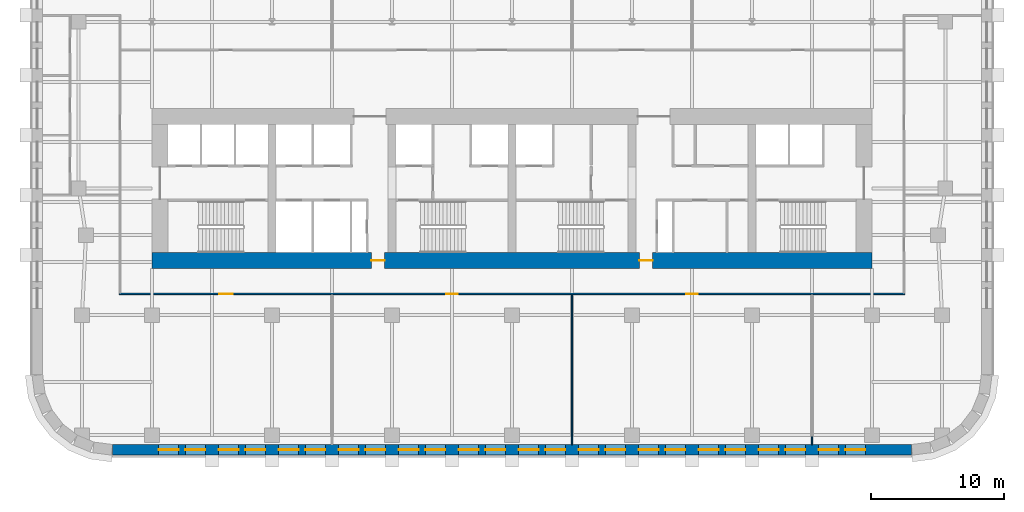
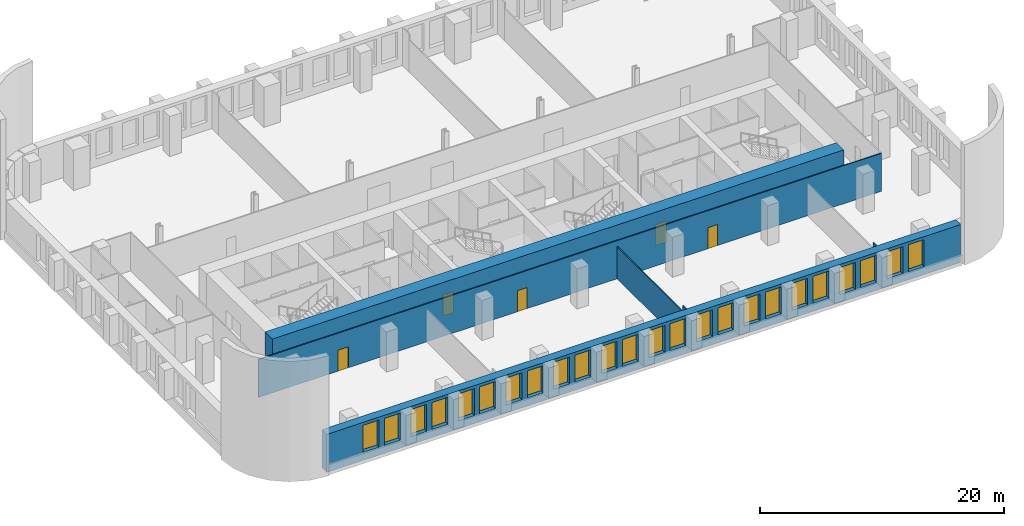
# One storey, part 5 of 11: 24 windows, 6 walls, 5 doors, 29 openings.
"""IFC4 building model written with IfcOpenShell, lengths in metres."""

from ifc_helpers import new_model, si_unit, direction, frame, frame_2d, origin, place, context, subcontext, project, spatial, rectangle, extrude, material, layer, layer_set, type_object, element, fill, save


model = new_model("IFC4")

# Units and contexts
model_context = context("Model", 3, precision=1e-05, world=origin(), true_north=direction((0.0, 1.0)))
body_context = subcontext(model_context, "Body", "Model", "MODEL_VIEW")
ifc_project = project(units=[si_unit("LENGTHUNIT", "METRE"), si_unit("AREAUNIT", "SQUARE_METRE"), si_unit("VOLUMEUNIT", "CUBIC_METRE"), si_unit("PLANEANGLEUNIT", "RADIAN"), si_unit("MASSUNIT", "GRAM", prefix="KILO")], contexts=[model_context])

# Site, building, storey
site_placement = place(None, origin())
site = spatial("IfcSite", under=ifc_project, at=site_placement, CompositionType="ELEMENT")
building_placement = place(site_placement, origin())
building = spatial("IfcBuilding", under=site, at=building_placement, Name="Zellij Exchange Tower", CompositionType="ELEMENT")
storey_placement = place(building_placement, frame((0.0, 0.0, 64.5)))
storey = spatial("IfcBuildingStorey", under=building, at=storey_placement, Name="L12", CompositionType="ELEMENT", Elevation=64.5)

# Wall, openings, doors
ifc_material_1 = material(Name="Concrete C70/85", Category="concrete")
ifc_layer_1 = layer(ifc_material_1, 1.199951171875)
ifc_layer_set_1 = layer_set([ifc_layer_1], Name="Concrete C70/85")
wall_type_1 = type_object("IfcWallType", Name="CORE-SW 1200 C70/85", PredefinedType="SHEAR", material=ifc_layer_set_1)
wall_1_placement = place(storey_placement, frame((-27.0, -13.39990234375, 0.0), z_axis=(0.0, 0.0, 1.0), x_axis=(1.0, 0.0, 0.0)))
wall_1 = element("IfcWall", 1, at=wall_1_placement, inside=storey, type_object=wall_type_1, Name="Core shear wall rear L12", PredefinedType="SHEAR", context=body_context, shape_type="SweptSolid", body=[
    extrude(rectangle(XDim=54.0, YDim=1.199951171875, at=frame_2d((27.0, 0.0))), origin(), (0.0, 0.0, 1.0), 3.800048828125),
])
opening_1_placement = place(wall_1_placement, frame((16.449951171875, 0.0, 0.0)))
opening_1 = element("IfcOpeningElement", 2, at=opening_1_placement, cuts=wall_1, Name="Opening CA-08.12", PredefinedType="OPENING", context=body_context, shape_type="SweptSolid", body=[
    extrude(rectangle(XDim=1.0, YDim=2.10009765625, at=frame_2d((0.5, 1.050048828125))), frame((0.0, 0.61181640625, 0.0), z_axis=(0.0, -1.0, 0.0), x_axis=(1.0, 0.0, 0.0)), (0.0, 0.0, 1.0), 1.223876953125),
])
opening_2_placement = place(wall_1_placement, frame((36.550048828125, 0.0, 0.0)))
opening_2 = element("IfcOpeningElement", 3, at=opening_2_placement, cuts=wall_1, Name="Opening CA-08.20", PredefinedType="OPENING", context=body_context, shape_type="SweptSolid", body=[
    extrude(rectangle(XDim=1.0, YDim=2.10009765625, at=frame_2d((0.5, 1.050048828125))), frame((0.0, 0.61181640625, 0.0), z_axis=(0.0, -1.0, 0.0), x_axis=(1.0, 0.0, 0.0)), (0.0, 0.0, 1.0), 1.223876953125),
])
ifc_material_2 = material(Name="Hollow metal fire door")
door_type_1 = type_object("IfcDoorType", Name="CORE-D CR Core rear door 1000x2100 20 MIN", OperationType="NOTDEFINED", PredefinedType="DOOR", material=ifc_material_2)
door_1_placement = place(opening_1_placement, origin())
door_1 = element("IfcDoor", 4, at=door_1_placement, inside=storey, type_object=door_type_1, Name="Core rear door CA-08.12", OperationType="SINGLE_SWING_RIGHT", OverallHeight=2.10009765625, OverallWidth=1.0, PredefinedType="DOOR", context=body_context, shape_type="SweptSolid", body=[
    extrude(rectangle(XDim=1.0, YDim=2.10009765625, at=frame_2d((0.5, 1.050048828125))), frame((0.0, 0.02490234375, 0.0), z_axis=(0.0, -1.0, 0.0), x_axis=(1.0, 0.0, 0.0)), (0.0, 0.0, 1.0), 0.050048828125),
])
fill(opening_1, door_1)
door_2_placement = place(opening_2_placement, origin())
door_2 = element("IfcDoor", 5, at=door_2_placement, inside=storey, type_object=door_type_1, Name="Core rear door CA-08.20", OperationType="SINGLE_SWING_LEFT", OverallHeight=2.10009765625, OverallWidth=1.0, PredefinedType="DOOR", context=body_context, shape_type="SweptSolid", body=[
    extrude(rectangle(XDim=1.0, YDim=2.10009765625, at=frame_2d((0.5, 1.050048828125))), frame((0.0, 0.02490234375, 0.0), z_axis=(0.0, -1.0, 0.0), x_axis=(1.0, 0.0, 0.0)), (0.0, 0.0, 1.0), 0.050048828125),
])
fill(opening_2, door_2)

# Wall, openings, windows
ifc_material_3 = material(Name="Precast concrete C40/50", Category="concrete")
ifc_layer_2 = layer(ifc_material_3, 0.800048828125)
ifc_layer_set_2 = layer_set([ifc_layer_2], Name="Precast concrete C40/50")
wall_type_2 = type_object("IfcWallType", Name="ENV-EW1 Precast stone-piered wall 800", PredefinedType="SOLIDWALL", material=ifc_layer_set_2)
wall_2_placement = place(storey_placement, frame((-29.947509765625, -27.60009765625, 0.0), z_axis=(0.0, 0.0, 1.0), x_axis=(1.0, 0.0, 0.0)))
wall_2 = element("IfcWall", 6, at=wall_2_placement, inside=storey, type_object=wall_type_2, Name="fac.L12.00", PredefinedType="SOLIDWALL", context=body_context, shape_type="SweptSolid", body=[
    extrude(rectangle(XDim=59.89501953125, YDim=0.800048828125, at=frame_2d((29.947509765625, 0.0))), origin(), (0.0, 0.0, 1.0), 3.800048828125),
])
opening_3_placement = place(wall_2_placement, frame((3.447509765625, 0.0, 0.800048828125)))
opening_3 = element("IfcOpeningElement", 7, at=opening_3_placement, cuts=wall_2, Name="Opening FZ1.01", PredefinedType="OPENING", context=body_context, shape_type="SweptSolid", body=[
    extrude(rectangle(XDim=1.5, YDim=2.699951171875, at=frame_2d((0.75, 1.35009765625))), frame((0.0, 0.412109375, 0.0), z_axis=(0.0, -1.0, 0.0), x_axis=(1.0, 0.0, 0.0)), (0.0, 0.0, 1.0), 0.823974609375),
])
opening_4_placement = place(wall_2_placement, frame((5.447509765625, 0.0, 0.800048828125)))
opening_4 = element("IfcOpeningElement", 8, at=opening_4_placement, cuts=wall_2, Name="Opening FZ1.02", PredefinedType="OPENING", context=body_context, shape_type="SweptSolid", body=[
    extrude(rectangle(XDim=1.5, YDim=2.699951171875, at=frame_2d((0.75, 1.35009765625))), frame((0.0, 0.412109375, 0.0), z_axis=(0.0, -1.0, 0.0), x_axis=(1.0, 0.0, 0.0)), (0.0, 0.0, 1.0), 0.823974609375),
])
opening_5_placement = place(wall_2_placement, frame((7.947509765625, 0.0, 0.800048828125)))
opening_5 = element("IfcOpeningElement", 9, at=opening_5_placement, cuts=wall_2, Name="Opening FZ1.03", PredefinedType="OPENING", context=body_context, shape_type="SweptSolid", body=[
    extrude(rectangle(XDim=1.5, YDim=2.699951171875, at=frame_2d((0.75, 1.35009765625))), frame((0.0, 0.412109375, 0.0), z_axis=(0.0, -1.0, 0.0), x_axis=(1.0, 0.0, 0.0)), (0.0, 0.0, 1.0), 0.823974609375),
])
opening_6_placement = place(wall_2_placement, frame((9.947509765625, 0.0, 0.800048828125)))
opening_6 = element("IfcOpeningElement", 10, at=opening_6_placement, cuts=wall_2, Name="Opening FZ1.04", PredefinedType="OPENING", context=body_context, shape_type="SweptSolid", body=[
    extrude(rectangle(XDim=1.5, YDim=2.699951171875, at=frame_2d((0.75, 1.35009765625))), frame((0.0, 0.412109375, 0.0), z_axis=(0.0, -1.0, 0.0), x_axis=(1.0, 0.0, 0.0)), (0.0, 0.0, 1.0), 0.823974609375),
])
opening_7_placement = place(wall_2_placement, frame((12.447509765625, 0.0, 0.800048828125)))
opening_7 = element("IfcOpeningElement", 11, at=opening_7_placement, cuts=wall_2, Name="Opening FZ1.05", PredefinedType="OPENING", context=body_context, shape_type="SweptSolid", body=[
    extrude(rectangle(XDim=1.5, YDim=2.699951171875, at=frame_2d((0.75, 1.35009765625))), frame((0.0, 0.412109375, 0.0), z_axis=(0.0, -1.0, 0.0), x_axis=(1.0, 0.0, 0.0)), (0.0, 0.0, 1.0), 0.823974609375),
])
opening_8_placement = place(wall_2_placement, frame((14.447509765625, 0.0, 0.800048828125)))
opening_8 = element("IfcOpeningElement", 12, at=opening_8_placement, cuts=wall_2, Name="Opening FZ1.06", PredefinedType="OPENING", context=body_context, shape_type="SweptSolid", body=[
    extrude(rectangle(XDim=1.5, YDim=2.699951171875, at=frame_2d((0.75, 1.35009765625))), frame((0.0, 0.412109375, 0.0), z_axis=(0.0, -1.0, 0.0), x_axis=(1.0, 0.0, 0.0)), (0.0, 0.0, 1.0), 0.823974609375),
])
opening_9_placement = place(wall_2_placement, frame((16.947509765625, 0.0, 0.800048828125)))
opening_9 = element("IfcOpeningElement", 13, at=opening_9_placement, cuts=wall_2, Name="Opening FZ1.07", PredefinedType="OPENING", context=body_context, shape_type="SweptSolid", body=[
    extrude(rectangle(XDim=1.5, YDim=2.699951171875, at=frame_2d((0.75, 1.35009765625))), frame((0.0, 0.412109375, 0.0), z_axis=(0.0, -1.0, 0.0), x_axis=(1.0, 0.0, 0.0)), (0.0, 0.0, 1.0), 0.823974609375),
])
opening_10_placement = place(wall_2_placement, frame((18.947509765625, 0.0, 0.800048828125)))
opening_10 = element("IfcOpeningElement", 14, at=opening_10_placement, cuts=wall_2, Name="Opening FZ1.08", PredefinedType="OPENING", context=body_context, shape_type="SweptSolid", body=[
    extrude(rectangle(XDim=1.5, YDim=2.699951171875, at=frame_2d((0.75, 1.35009765625))), frame((0.0, 0.412109375, 0.0), z_axis=(0.0, -1.0, 0.0), x_axis=(1.0, 0.0, 0.0)), (0.0, 0.0, 1.0), 0.823974609375),
])
opening_11_placement = place(wall_2_placement, frame((21.447509765625, 0.0, 0.800048828125)))
opening_11 = element("IfcOpeningElement", 15, at=opening_11_placement, cuts=wall_2, Name="Opening FZ1.09", PredefinedType="OPENING", context=body_context, shape_type="SweptSolid", body=[
    extrude(rectangle(XDim=1.5, YDim=2.699951171875, at=frame_2d((0.75, 1.35009765625))), frame((0.0, 0.412109375, 0.0), z_axis=(0.0, -1.0, 0.0), x_axis=(1.0, 0.0, 0.0)), (0.0, 0.0, 1.0), 0.823974609375),
])
opening_12_placement = place(wall_2_placement, frame((23.447509765625, 0.0, 0.800048828125)))
opening_12 = element("IfcOpeningElement", 16, at=opening_12_placement, cuts=wall_2, Name="Opening FZ1.10", PredefinedType="OPENING", context=body_context, shape_type="SweptSolid", body=[
    extrude(rectangle(XDim=1.5, YDim=2.699951171875, at=frame_2d((0.75, 1.35009765625))), frame((0.0, 0.412109375, 0.0), z_axis=(0.0, -1.0, 0.0), x_axis=(1.0, 0.0, 0.0)), (0.0, 0.0, 1.0), 0.823974609375),
])
opening_13_placement = place(wall_2_placement, frame((25.947509765625, 0.0, 0.800048828125)))
opening_13 = element("IfcOpeningElement", 17, at=opening_13_placement, cuts=wall_2, Name="Opening FZ1.11", PredefinedType="OPENING", context=body_context, shape_type="SweptSolid", body=[
    extrude(rectangle(XDim=1.5, YDim=2.699951171875, at=frame_2d((0.75, 1.35009765625))), frame((0.0, 0.412109375, 0.0), z_axis=(0.0, -1.0, 0.0), x_axis=(1.0, 0.0, 0.0)), (0.0, 0.0, 1.0), 0.823974609375),
])
opening_14_placement = place(wall_2_placement, frame((27.947509765625, 0.0, 0.800048828125)))
opening_14 = element("IfcOpeningElement", 18, at=opening_14_placement, cuts=wall_2, Name="Opening FZ1.12", PredefinedType="OPENING", context=body_context, shape_type="SweptSolid", body=[
    extrude(rectangle(XDim=1.5, YDim=2.699951171875, at=frame_2d((0.75, 1.35009765625))), frame((0.0, 0.412109375, 0.0), z_axis=(0.0, -1.0, 0.0), x_axis=(1.0, 0.0, 0.0)), (0.0, 0.0, 1.0), 0.823974609375),
])
opening_15_placement = place(wall_2_placement, frame((30.447509765625, 0.0, 0.800048828125)))
opening_15 = element("IfcOpeningElement", 19, at=opening_15_placement, cuts=wall_2, Name="Opening FZ1.13", PredefinedType="OPENING", context=body_context, shape_type="SweptSolid", body=[
    extrude(rectangle(XDim=1.5, YDim=2.699951171875, at=frame_2d((0.75, 1.35009765625))), frame((0.0, 0.412109375, 0.0), z_axis=(0.0, -1.0, 0.0), x_axis=(1.0, 0.0, 0.0)), (0.0, 0.0, 1.0), 0.823974609375),
])
opening_16_placement = place(wall_2_placement, frame((32.447509765625, 0.0, 0.800048828125)))
opening_16 = element("IfcOpeningElement", 20, at=opening_16_placement, cuts=wall_2, Name="Opening FZ1.14", PredefinedType="OPENING", context=body_context, shape_type="SweptSolid", body=[
    extrude(rectangle(XDim=1.5, YDim=2.699951171875, at=frame_2d((0.75, 1.35009765625))), frame((0.0, 0.412109375, 0.0), z_axis=(0.0, -1.0, 0.0), x_axis=(1.0, 0.0, 0.0)), (0.0, 0.0, 1.0), 0.823974609375),
])
opening_17_placement = place(wall_2_placement, frame((34.947509765625, 0.0, 0.800048828125)))
opening_17 = element("IfcOpeningElement", 21, at=opening_17_placement, cuts=wall_2, Name="Opening FZ1.15", PredefinedType="OPENING", context=body_context, shape_type="SweptSolid", body=[
    extrude(rectangle(XDim=1.5, YDim=2.699951171875, at=frame_2d((0.75, 1.35009765625))), frame((0.0, 0.412109375, 0.0), z_axis=(0.0, -1.0, 0.0), x_axis=(1.0, 0.0, 0.0)), (0.0, 0.0, 1.0), 0.823974609375),
])
opening_18_placement = place(wall_2_placement, frame((36.947509765625, 0.0, 0.800048828125)))
opening_18 = element("IfcOpeningElement", 22, at=opening_18_placement, cuts=wall_2, Name="Opening FZ1.16", PredefinedType="OPENING", context=body_context, shape_type="SweptSolid", body=[
    extrude(rectangle(XDim=1.5, YDim=2.699951171875, at=frame_2d((0.75, 1.35009765625))), frame((0.0, 0.412109375, 0.0), z_axis=(0.0, -1.0, 0.0), x_axis=(1.0, 0.0, 0.0)), (0.0, 0.0, 1.0), 0.823974609375),
])
opening_19_placement = place(wall_2_placement, frame((39.447509765625, 0.0, 0.800048828125)))
opening_19 = element("IfcOpeningElement", 23, at=opening_19_placement, cuts=wall_2, Name="Opening FZ1.17", PredefinedType="OPENING", context=body_context, shape_type="SweptSolid", body=[
    extrude(rectangle(XDim=1.5, YDim=2.699951171875, at=frame_2d((0.75, 1.35009765625))), frame((0.0, 0.412109375, 0.0), z_axis=(0.0, -1.0, 0.0), x_axis=(1.0, 0.0, 0.0)), (0.0, 0.0, 1.0), 0.823974609375),
])
opening_20_placement = place(wall_2_placement, frame((41.447509765625, 0.0, 0.800048828125)))
opening_20 = element("IfcOpeningElement", 24, at=opening_20_placement, cuts=wall_2, Name="Opening FZ1.18", PredefinedType="OPENING", context=body_context, shape_type="SweptSolid", body=[
    extrude(rectangle(XDim=1.5, YDim=2.699951171875, at=frame_2d((0.75, 1.35009765625))), frame((0.0, 0.412109375, 0.0), z_axis=(0.0, -1.0, 0.0), x_axis=(1.0, 0.0, 0.0)), (0.0, 0.0, 1.0), 0.823974609375),
])
opening_21_placement = place(wall_2_placement, frame((43.947509765625, 0.0, 0.800048828125)))
opening_21 = element("IfcOpeningElement", 25, at=opening_21_placement, cuts=wall_2, Name="Opening FZ1.19", PredefinedType="OPENING", context=body_context, shape_type="SweptSolid", body=[
    extrude(rectangle(XDim=1.5, YDim=2.699951171875, at=frame_2d((0.75, 1.35009765625))), frame((0.0, 0.412109375, 0.0), z_axis=(0.0, -1.0, 0.0), x_axis=(1.0, 0.0, 0.0)), (0.0, 0.0, 1.0), 0.823974609375),
])
opening_22_placement = place(wall_2_placement, frame((45.947509765625, 0.0, 0.800048828125)))
opening_22 = element("IfcOpeningElement", 26, at=opening_22_placement, cuts=wall_2, Name="Opening FZ1.20", PredefinedType="OPENING", context=body_context, shape_type="SweptSolid", body=[
    extrude(rectangle(XDim=1.5, YDim=2.699951171875, at=frame_2d((0.75, 1.35009765625))), frame((0.0, 0.412109375, 0.0), z_axis=(0.0, -1.0, 0.0), x_axis=(1.0, 0.0, 0.0)), (0.0, 0.0, 1.0), 0.823974609375),
])
opening_23_placement = place(wall_2_placement, frame((48.447509765625, 0.0, 0.800048828125)))
opening_23 = element("IfcOpeningElement", 27, at=opening_23_placement, cuts=wall_2, Name="Opening FZ1.21", PredefinedType="OPENING", context=body_context, shape_type="SweptSolid", body=[
    extrude(rectangle(XDim=1.5, YDim=2.699951171875, at=frame_2d((0.75, 1.35009765625))), frame((0.0, 0.412109375, 0.0), z_axis=(0.0, -1.0, 0.0), x_axis=(1.0, 0.0, 0.0)), (0.0, 0.0, 1.0), 0.823974609375),
])
opening_24_placement = place(wall_2_placement, frame((50.447509765625, 0.0, 0.800048828125)))
opening_24 = element("IfcOpeningElement", 28, at=opening_24_placement, cuts=wall_2, Name="Opening FZ1.22", PredefinedType="OPENING", context=body_context, shape_type="SweptSolid", body=[
    extrude(rectangle(XDim=1.5, YDim=2.699951171875, at=frame_2d((0.75, 1.35009765625))), frame((0.0, 0.412109375, 0.0), z_axis=(0.0, -1.0, 0.0), x_axis=(1.0, 0.0, 0.0)), (0.0, 0.0, 1.0), 0.823974609375),
])
opening_25_placement = place(wall_2_placement, frame((52.947509765625, 0.0, 0.800048828125)))
opening_25 = element("IfcOpeningElement", 29, at=opening_25_placement, cuts=wall_2, Name="Opening FZ1.23", PredefinedType="OPENING", context=body_context, shape_type="SweptSolid", body=[
    extrude(rectangle(XDim=1.5, YDim=2.699951171875, at=frame_2d((0.75, 1.35009765625))), frame((0.0, 0.412109375, 0.0), z_axis=(0.0, -1.0, 0.0), x_axis=(1.0, 0.0, 0.0)), (0.0, 0.0, 1.0), 0.823974609375),
])
opening_26_placement = place(wall_2_placement, frame((54.947509765625, 0.0, 0.800048828125)))
opening_26 = element("IfcOpeningElement", 30, at=opening_26_placement, cuts=wall_2, Name="Opening FZ1.24", PredefinedType="OPENING", context=body_context, shape_type="SweptSolid", body=[
    extrude(rectangle(XDim=1.5, YDim=2.699951171875, at=frame_2d((0.75, 1.35009765625))), frame((0.0, 0.412109375, 0.0), z_axis=(0.0, -1.0, 0.0), x_axis=(1.0, 0.0, 0.0)), (0.0, 0.0, 1.0), 0.823974609375),
])
ifc_material_4 = material(Name="Aluminium frame with insulating glass", Category="aluminium")
window_type = type_object("IfcWindowType", Name="ENV-W6 Window 1500x2700", PartitioningType="SINGLE_PANEL", PredefinedType="WINDOW", material=ifc_material_4)
window_1_placement = place(opening_3_placement, origin())
window_1 = element("IfcWindow", 31, at=window_1_placement, inside=storey, type_object=window_type, Name="Window FZ1.01", OverallHeight=2.699951171875, OverallWidth=1.5, PartitioningType="SINGLE_PANEL", PredefinedType="WINDOW", context=body_context, shape_type="SweptSolid", body=[
    extrude(rectangle(XDim=1.5, YDim=2.699951171875, at=frame_2d((0.75, 1.35009765625))), frame((0.0, 0.030029296875, 0.0), z_axis=(0.0, -1.0, 0.0), x_axis=(1.0, 0.0, 0.0)), (0.0, 0.0, 1.0), 0.06005859375),
])
fill(opening_3, window_1)
window_2_placement = place(opening_4_placement, origin())
window_2 = element("IfcWindow", 32, at=window_2_placement, inside=storey, type_object=window_type, Name="Window FZ1.02", OverallHeight=2.699951171875, OverallWidth=1.5, PartitioningType="SINGLE_PANEL", PredefinedType="WINDOW", context=body_context, shape_type="SweptSolid", body=[
    extrude(rectangle(XDim=1.5, YDim=2.699951171875, at=frame_2d((0.75, 1.35009765625))), frame((0.0, 0.030029296875, 0.0), z_axis=(0.0, -1.0, 0.0), x_axis=(1.0, 0.0, 0.0)), (0.0, 0.0, 1.0), 0.06005859375),
])
fill(opening_4, window_2)
window_3_placement = place(opening_5_placement, origin())
window_3 = element("IfcWindow", 33, at=window_3_placement, inside=storey, type_object=window_type, Name="Window FZ1.03", OverallHeight=2.699951171875, OverallWidth=1.5, PartitioningType="SINGLE_PANEL", PredefinedType="WINDOW", context=body_context, shape_type="SweptSolid", body=[
    extrude(rectangle(XDim=1.5, YDim=2.699951171875, at=frame_2d((0.75, 1.35009765625))), frame((0.0, 0.030029296875, 0.0), z_axis=(0.0, -1.0, 0.0), x_axis=(1.0, 0.0, 0.0)), (0.0, 0.0, 1.0), 0.06005859375),
])
fill(opening_5, window_3)
window_4_placement = place(opening_6_placement, origin())
window_4 = element("IfcWindow", 34, at=window_4_placement, inside=storey, type_object=window_type, Name="Window FZ1.04", OverallHeight=2.699951171875, OverallWidth=1.5, PartitioningType="SINGLE_PANEL", PredefinedType="WINDOW", context=body_context, shape_type="SweptSolid", body=[
    extrude(rectangle(XDim=1.5, YDim=2.699951171875, at=frame_2d((0.75, 1.35009765625))), frame((0.0, 0.030029296875, 0.0), z_axis=(0.0, -1.0, 0.0), x_axis=(1.0, 0.0, 0.0)), (0.0, 0.0, 1.0), 0.06005859375),
])
fill(opening_6, window_4)
window_5_placement = place(opening_7_placement, origin())
window_5 = element("IfcWindow", 35, at=window_5_placement, inside=storey, type_object=window_type, Name="Window FZ1.05", OverallHeight=2.699951171875, OverallWidth=1.5, PartitioningType="SINGLE_PANEL", PredefinedType="WINDOW", context=body_context, shape_type="SweptSolid", body=[
    extrude(rectangle(XDim=1.5, YDim=2.699951171875, at=frame_2d((0.75, 1.35009765625))), frame((0.0, 0.030029296875, 0.0), z_axis=(0.0, -1.0, 0.0), x_axis=(1.0, 0.0, 0.0)), (0.0, 0.0, 1.0), 0.06005859375),
])
fill(opening_7, window_5)
window_6_placement = place(opening_8_placement, origin())
window_6 = element("IfcWindow", 36, at=window_6_placement, inside=storey, type_object=window_type, Name="Window FZ1.06", OverallHeight=2.699951171875, OverallWidth=1.5, PartitioningType="SINGLE_PANEL", PredefinedType="WINDOW", context=body_context, shape_type="SweptSolid", body=[
    extrude(rectangle(XDim=1.5, YDim=2.699951171875, at=frame_2d((0.75, 1.35009765625))), frame((0.0, 0.030029296875, 0.0), z_axis=(0.0, -1.0, 0.0), x_axis=(1.0, 0.0, 0.0)), (0.0, 0.0, 1.0), 0.06005859375),
])
fill(opening_8, window_6)
window_7_placement = place(opening_9_placement, origin())
window_7 = element("IfcWindow", 37, at=window_7_placement, inside=storey, type_object=window_type, Name="Window FZ1.07", OverallHeight=2.699951171875, OverallWidth=1.5, PartitioningType="SINGLE_PANEL", PredefinedType="WINDOW", context=body_context, shape_type="SweptSolid", body=[
    extrude(rectangle(XDim=1.5, YDim=2.699951171875, at=frame_2d((0.75, 1.35009765625))), frame((0.0, 0.030029296875, 0.0), z_axis=(0.0, -1.0, 0.0), x_axis=(1.0, 0.0, 0.0)), (0.0, 0.0, 1.0), 0.06005859375),
])
fill(opening_9, window_7)
window_8_placement = place(opening_10_placement, origin())
window_8 = element("IfcWindow", 38, at=window_8_placement, inside=storey, type_object=window_type, Name="Window FZ1.08", OverallHeight=2.699951171875, OverallWidth=1.5, PartitioningType="SINGLE_PANEL", PredefinedType="WINDOW", context=body_context, shape_type="SweptSolid", body=[
    extrude(rectangle(XDim=1.5, YDim=2.699951171875, at=frame_2d((0.75, 1.35009765625))), frame((0.0, 0.030029296875, 0.0), z_axis=(0.0, -1.0, 0.0), x_axis=(1.0, 0.0, 0.0)), (0.0, 0.0, 1.0), 0.06005859375),
])
fill(opening_10, window_8)
window_9_placement = place(opening_11_placement, origin())
window_9 = element("IfcWindow", 39, at=window_9_placement, inside=storey, type_object=window_type, Name="Window FZ1.09", OverallHeight=2.699951171875, OverallWidth=1.5, PartitioningType="SINGLE_PANEL", PredefinedType="WINDOW", context=body_context, shape_type="SweptSolid", body=[
    extrude(rectangle(XDim=1.5, YDim=2.699951171875, at=frame_2d((0.75, 1.35009765625))), frame((0.0, 0.030029296875, 0.0), z_axis=(0.0, -1.0, 0.0), x_axis=(1.0, 0.0, 0.0)), (0.0, 0.0, 1.0), 0.06005859375),
])
fill(opening_11, window_9)
window_10_placement = place(opening_12_placement, origin())
window_10 = element("IfcWindow", 40, at=window_10_placement, inside=storey, type_object=window_type, Name="Window FZ1.10", OverallHeight=2.699951171875, OverallWidth=1.5, PartitioningType="SINGLE_PANEL", PredefinedType="WINDOW", context=body_context, shape_type="SweptSolid", body=[
    extrude(rectangle(XDim=1.5, YDim=2.699951171875, at=frame_2d((0.75, 1.35009765625))), frame((0.0, 0.030029296875, 0.0), z_axis=(0.0, -1.0, 0.0), x_axis=(1.0, 0.0, 0.0)), (0.0, 0.0, 1.0), 0.06005859375),
])
fill(opening_12, window_10)
window_11_placement = place(opening_13_placement, origin())
window_11 = element("IfcWindow", 41, at=window_11_placement, inside=storey, type_object=window_type, Name="Window FZ1.11", OverallHeight=2.699951171875, OverallWidth=1.5, PartitioningType="SINGLE_PANEL", PredefinedType="WINDOW", context=body_context, shape_type="SweptSolid", body=[
    extrude(rectangle(XDim=1.5, YDim=2.699951171875, at=frame_2d((0.75, 1.35009765625))), frame((0.0, 0.030029296875, 0.0), z_axis=(0.0, -1.0, 0.0), x_axis=(1.0, 0.0, 0.0)), (0.0, 0.0, 1.0), 0.06005859375),
])
fill(opening_13, window_11)
window_12_placement = place(opening_14_placement, origin())
window_12 = element("IfcWindow", 42, at=window_12_placement, inside=storey, type_object=window_type, Name="Window FZ1.12", OverallHeight=2.699951171875, OverallWidth=1.5, PartitioningType="SINGLE_PANEL", PredefinedType="WINDOW", context=body_context, shape_type="SweptSolid", body=[
    extrude(rectangle(XDim=1.5, YDim=2.699951171875, at=frame_2d((0.75, 1.35009765625))), frame((0.0, 0.030029296875, 0.0), z_axis=(0.0, -1.0, 0.0), x_axis=(1.0, 0.0, 0.0)), (0.0, 0.0, 1.0), 0.06005859375),
])
fill(opening_14, window_12)
window_13_placement = place(opening_15_placement, origin())
window_13 = element("IfcWindow", 43, at=window_13_placement, inside=storey, type_object=window_type, Name="Window FZ1.13", OverallHeight=2.699951171875, OverallWidth=1.5, PartitioningType="SINGLE_PANEL", PredefinedType="WINDOW", context=body_context, shape_type="SweptSolid", body=[
    extrude(rectangle(XDim=1.5, YDim=2.699951171875, at=frame_2d((0.75, 1.35009765625))), frame((0.0, 0.030029296875, 0.0), z_axis=(0.0, -1.0, 0.0), x_axis=(1.0, 0.0, 0.0)), (0.0, 0.0, 1.0), 0.06005859375),
])
fill(opening_15, window_13)
window_14_placement = place(opening_16_placement, origin())
window_14 = element("IfcWindow", 44, at=window_14_placement, inside=storey, type_object=window_type, Name="Window FZ1.14", OverallHeight=2.699951171875, OverallWidth=1.5, PartitioningType="SINGLE_PANEL", PredefinedType="WINDOW", context=body_context, shape_type="SweptSolid", body=[
    extrude(rectangle(XDim=1.5, YDim=2.699951171875, at=frame_2d((0.75, 1.35009765625))), frame((0.0, 0.030029296875, 0.0), z_axis=(0.0, -1.0, 0.0), x_axis=(1.0, 0.0, 0.0)), (0.0, 0.0, 1.0), 0.06005859375),
])
fill(opening_16, window_14)
window_15_placement = place(opening_17_placement, origin())
window_15 = element("IfcWindow", 45, at=window_15_placement, inside=storey, type_object=window_type, Name="Window FZ1.15", OverallHeight=2.699951171875, OverallWidth=1.5, PartitioningType="SINGLE_PANEL", PredefinedType="WINDOW", context=body_context, shape_type="SweptSolid", body=[
    extrude(rectangle(XDim=1.5, YDim=2.699951171875, at=frame_2d((0.75, 1.35009765625))), frame((0.0, 0.030029296875, 0.0), z_axis=(0.0, -1.0, 0.0), x_axis=(1.0, 0.0, 0.0)), (0.0, 0.0, 1.0), 0.06005859375),
])
fill(opening_17, window_15)
window_16_placement = place(opening_18_placement, origin())
window_16 = element("IfcWindow", 46, at=window_16_placement, inside=storey, type_object=window_type, Name="Window FZ1.16", OverallHeight=2.699951171875, OverallWidth=1.5, PartitioningType="SINGLE_PANEL", PredefinedType="WINDOW", context=body_context, shape_type="SweptSolid", body=[
    extrude(rectangle(XDim=1.5, YDim=2.699951171875, at=frame_2d((0.75, 1.35009765625))), frame((0.0, 0.030029296875, 0.0), z_axis=(0.0, -1.0, 0.0), x_axis=(1.0, 0.0, 0.0)), (0.0, 0.0, 1.0), 0.06005859375),
])
fill(opening_18, window_16)
window_17_placement = place(opening_19_placement, origin())
window_17 = element("IfcWindow", 47, at=window_17_placement, inside=storey, type_object=window_type, Name="Window FZ1.17", OverallHeight=2.699951171875, OverallWidth=1.5, PartitioningType="SINGLE_PANEL", PredefinedType="WINDOW", context=body_context, shape_type="SweptSolid", body=[
    extrude(rectangle(XDim=1.5, YDim=2.699951171875, at=frame_2d((0.75, 1.35009765625))), frame((0.0, 0.030029296875, 0.0), z_axis=(0.0, -1.0, 0.0), x_axis=(1.0, 0.0, 0.0)), (0.0, 0.0, 1.0), 0.06005859375),
])
fill(opening_19, window_17)
window_18_placement = place(opening_20_placement, origin())
window_18 = element("IfcWindow", 48, at=window_18_placement, inside=storey, type_object=window_type, Name="Window FZ1.18", OverallHeight=2.699951171875, OverallWidth=1.5, PartitioningType="SINGLE_PANEL", PredefinedType="WINDOW", context=body_context, shape_type="SweptSolid", body=[
    extrude(rectangle(XDim=1.5, YDim=2.699951171875, at=frame_2d((0.75, 1.35009765625))), frame((0.0, 0.030029296875, 0.0), z_axis=(0.0, -1.0, 0.0), x_axis=(1.0, 0.0, 0.0)), (0.0, 0.0, 1.0), 0.06005859375),
])
fill(opening_20, window_18)
window_19_placement = place(opening_21_placement, origin())
window_19 = element("IfcWindow", 49, at=window_19_placement, inside=storey, type_object=window_type, Name="Window FZ1.19", OverallHeight=2.699951171875, OverallWidth=1.5, PartitioningType="SINGLE_PANEL", PredefinedType="WINDOW", context=body_context, shape_type="SweptSolid", body=[
    extrude(rectangle(XDim=1.5, YDim=2.699951171875, at=frame_2d((0.75, 1.35009765625))), frame((0.0, 0.030029296875, 0.0), z_axis=(0.0, -1.0, 0.0), x_axis=(1.0, 0.0, 0.0)), (0.0, 0.0, 1.0), 0.06005859375),
])
fill(opening_21, window_19)
window_20_placement = place(opening_22_placement, origin())
window_20 = element("IfcWindow", 50, at=window_20_placement, inside=storey, type_object=window_type, Name="Window FZ1.20", OverallHeight=2.699951171875, OverallWidth=1.5, PartitioningType="SINGLE_PANEL", PredefinedType="WINDOW", context=body_context, shape_type="SweptSolid", body=[
    extrude(rectangle(XDim=1.5, YDim=2.699951171875, at=frame_2d((0.75, 1.35009765625))), frame((0.0, 0.030029296875, 0.0), z_axis=(0.0, -1.0, 0.0), x_axis=(1.0, 0.0, 0.0)), (0.0, 0.0, 1.0), 0.06005859375),
])
fill(opening_22, window_20)
window_21_placement = place(opening_23_placement, origin())
window_21 = element("IfcWindow", 51, at=window_21_placement, inside=storey, type_object=window_type, Name="Window FZ1.21", OverallHeight=2.699951171875, OverallWidth=1.5, PartitioningType="SINGLE_PANEL", PredefinedType="WINDOW", context=body_context, shape_type="SweptSolid", body=[
    extrude(rectangle(XDim=1.5, YDim=2.699951171875, at=frame_2d((0.75, 1.35009765625))), frame((0.0, 0.030029296875, 0.0), z_axis=(0.0, -1.0, 0.0), x_axis=(1.0, 0.0, 0.0)), (0.0, 0.0, 1.0), 0.06005859375),
])
fill(opening_23, window_21)
window_22_placement = place(opening_24_placement, origin())
window_22 = element("IfcWindow", 52, at=window_22_placement, inside=storey, type_object=window_type, Name="Window FZ1.22", OverallHeight=2.699951171875, OverallWidth=1.5, PartitioningType="SINGLE_PANEL", PredefinedType="WINDOW", context=body_context, shape_type="SweptSolid", body=[
    extrude(rectangle(XDim=1.5, YDim=2.699951171875, at=frame_2d((0.75, 1.35009765625))), frame((0.0, 0.030029296875, 0.0), z_axis=(0.0, -1.0, 0.0), x_axis=(1.0, 0.0, 0.0)), (0.0, 0.0, 1.0), 0.06005859375),
])
fill(opening_24, window_22)
window_23_placement = place(opening_25_placement, origin())
window_23 = element("IfcWindow", 53, at=window_23_placement, inside=storey, type_object=window_type, Name="Window FZ1.23", OverallHeight=2.699951171875, OverallWidth=1.5, PartitioningType="SINGLE_PANEL", PredefinedType="WINDOW", context=body_context, shape_type="SweptSolid", body=[
    extrude(rectangle(XDim=1.5, YDim=2.699951171875, at=frame_2d((0.75, 1.35009765625))), frame((0.0, 0.030029296875, 0.0), z_axis=(0.0, -1.0, 0.0), x_axis=(1.0, 0.0, 0.0)), (0.0, 0.0, 1.0), 0.06005859375),
])
fill(opening_25, window_23)
window_24_placement = place(opening_26_placement, origin())
window_24 = element("IfcWindow", 54, at=window_24_placement, inside=storey, type_object=window_type, Name="Window FZ1.24", OverallHeight=2.699951171875, OverallWidth=1.5, PartitioningType="SINGLE_PANEL", PredefinedType="WINDOW", context=body_context, shape_type="SweptSolid", body=[
    extrude(rectangle(XDim=1.5, YDim=2.699951171875, at=frame_2d((0.75, 1.35009765625))), frame((0.0, 0.030029296875, 0.0), z_axis=(0.0, -1.0, 0.0), x_axis=(1.0, 0.0, 0.0)), (0.0, 0.0, 1.0), 0.06005859375),
])
fill(opening_26, window_24)

# Walls
ifc_material_5 = material(Name="Gypsum board partition on steel studs", Category="steel")
ifc_layer_3 = layer(ifc_material_5, 0.10009765625)
ifc_layer_set_3 = layer_set([ifc_layer_3], Name="Gypsum board partition on steel studs")
wall_type_3 = type_object("IfcWallType", Name="FIT-PARTITION-100", PredefinedType="PARTITIONING", material=ifc_layer_set_3)
wall_3_placement = place(storey_placement, frame((4.5, -27.199951171875, 0.0), z_axis=(0.0, 0.0, 1.0), x_axis=(0.0, 1.0, 0.0)))
element("IfcWall", 55, at=wall_3_placement, inside=storey, type_object=wall_type_3, Name="FIT-PARTITION-100 003", PredefinedType="PARTITIONING", context=body_context, shape_type="SweptSolid", body=[
    extrude(rectangle(XDim=0.58544921875, YDim=0.10009765625, at=frame_2d((0.292724609375, 0.0))), origin(), (0.0, 0.0, 1.0), 3.800048828125),
])
wall_4_placement = place(storey_placement, frame((4.5, -26.614501953125, 0.0), z_axis=(0.0, 0.0, 1.0), x_axis=(0.0, 1.0, 0.0)))
element("IfcWall", 56, at=wall_4_placement, inside=storey, type_object=wall_type_3, Name="FIT-PARTITION-100 004", PredefinedType="PARTITIONING", context=body_context, shape_type="SweptSolid", body=[
    extrude(rectangle(XDim=10.66455078125, YDim=0.10009765625, at=frame_2d((5.332275390625, 0.0))), origin(), (0.0, 0.0, 1.0), 3.197998046875),
])
wall_5_placement = place(storey_placement, frame((22.5, -27.199951171875, 0.0), z_axis=(0.0, 0.0, 1.0), x_axis=(0.0, 1.0, 0.0)))
element("IfcWall", 57, at=wall_5_placement, inside=storey, type_object=wall_type_3, Name="FIT-PARTITION-100 005", PredefinedType="PARTITIONING", context=body_context, shape_type="SweptSolid", body=[
    extrude(rectangle(XDim=0.58544921875, YDim=0.10009765625, at=frame_2d((0.292724609375, 0.0))), origin(), (0.0, 0.0, 1.0), 3.800048828125),
])

# Wall, openings, doors
wall_6_placement = place(storey_placement, frame((-29.449951171875, -15.89990234375, 0.0), z_axis=(0.0, 0.0, 1.0), x_axis=(1.0, 0.0, 0.0)))
wall_6 = element("IfcWall", 58, at=wall_6_placement, inside=storey, type_object=wall_type_3, Name="FIT-PARTITION-100 007", PredefinedType="PARTITIONING", context=body_context, shape_type="SweptSolid", body=[
    extrude(rectangle(XDim=58.89990234375, YDim=0.10009765625, at=frame_2d((29.449951171875, 0.0))), origin(), (0.0, 0.0, 1.0), 3.800048828125),
])
opening_27_placement = place(wall_6_placement, frame((7.5, 0.0, 0.0)))
opening_27 = element("IfcOpeningElement", 59, at=opening_27_placement, cuts=wall_6, Name="Opening TB.01", PredefinedType="OPENING", context=body_context, shape_type="SweptSolid", body=[
    extrude(rectangle(XDim=1.0, YDim=2.10009765625, at=frame_2d((0.5, 1.050048828125))), frame((0.0, 0.06201171875, 0.0), z_axis=(0.0, -1.0, 0.0), x_axis=(1.0, 0.0, 0.0)), (0.0, 0.0, 1.0), 0.1240234375),
])
opening_28_placement = place(wall_6_placement, frame((24.5, 0.0, 0.0)))
opening_28 = element("IfcOpeningElement", 60, at=opening_28_placement, cuts=wall_6, Name="Opening TB.02", PredefinedType="OPENING", context=body_context, shape_type="SweptSolid", body=[
    extrude(rectangle(XDim=0.89990234375, YDim=2.10009765625, at=frame_2d((0.449951171875, 1.050048828125))), frame((0.0, 0.06201171875, 0.0), z_axis=(0.0, -1.0, 0.0), x_axis=(1.0, 0.0, 0.0)), (0.0, 0.0, 1.0), 0.1240234375),
])
opening_29_placement = place(wall_6_placement, frame((42.5, 0.0, 0.0)))
opening_29 = element("IfcOpeningElement", 61, at=opening_29_placement, cuts=wall_6, Name="Opening TB.03", PredefinedType="OPENING", context=body_context, shape_type="SweptSolid", body=[
    extrude(rectangle(XDim=0.89990234375, YDim=2.10009765625, at=frame_2d((0.449951171875, 1.050048828125))), frame((0.0, 0.06201171875, 0.0), z_axis=(0.0, -1.0, 0.0), x_axis=(1.0, 0.0, 0.0)), (0.0, 0.0, 1.0), 0.1240234375),
])
ifc_material_6 = material(Name="Timber door set", Category="wood")
door_type_2 = type_object("IfcDoorType", Name="FIT-D1-ROOM-900X2100", OperationType="SINGLE_SWING_LEFT", PredefinedType="DOOR", material=ifc_material_6)
door_3_placement = place(opening_28_placement, origin())
door_3 = element("IfcDoor", 62, at=door_3_placement, inside=storey, type_object=door_type_2, Name="Door TB.02", OperationType="SINGLE_SWING_LEFT", OverallHeight=2.10009765625, OverallWidth=0.89990234375, PredefinedType="DOOR", context=body_context, shape_type="SweptSolid", body=[
    extrude(rectangle(XDim=0.89990234375, YDim=2.10009765625, at=frame_2d((0.449951171875, 1.050048828125))), frame((0.0, 0.02490234375, 0.0), z_axis=(0.0, -1.0, 0.0), x_axis=(1.0, 0.0, 0.0)), (0.0, 0.0, 1.0), 0.050048828125),
])
fill(opening_28, door_3)
door_4_placement = place(opening_29_placement, origin())
door_4 = element("IfcDoor", 63, at=door_4_placement, inside=storey, type_object=door_type_2, Name="Door TB.03", OperationType="SINGLE_SWING_LEFT", OverallHeight=2.10009765625, OverallWidth=0.89990234375, PredefinedType="DOOR", context=body_context, shape_type="SweptSolid", body=[
    extrude(rectangle(XDim=0.89990234375, YDim=2.10009765625, at=frame_2d((0.449951171875, 1.050048828125))), frame((0.0, 0.02490234375, 0.0), z_axis=(0.0, -1.0, 0.0), x_axis=(1.0, 0.0, 0.0)), (0.0, 0.0, 1.0), 0.050048828125),
])
fill(opening_29, door_4)
door_type_3 = type_object("IfcDoorType", Name="FIT-D2-WIDE-1000X2100", OperationType="SINGLE_SWING_LEFT", PredefinedType="DOOR", material=ifc_material_6)
door_5_placement = place(opening_27_placement, origin())
door_5 = element("IfcDoor", 64, at=door_5_placement, inside=storey, type_object=door_type_3, Name="Door TB.01", OperationType="SINGLE_SWING_LEFT", OverallHeight=2.10009765625, OverallWidth=1.0, PredefinedType="DOOR", context=body_context, shape_type="SweptSolid", body=[
    extrude(rectangle(XDim=1.0, YDim=2.10009765625, at=frame_2d((0.5, 1.050048828125))), frame((0.0, 0.02490234375, 0.0), z_axis=(0.0, -1.0, 0.0), x_axis=(1.0, 0.0, 0.0)), (0.0, 0.0, 1.0), 0.050048828125),
])
fill(opening_27, door_5)

save(model, "model.ifc")
